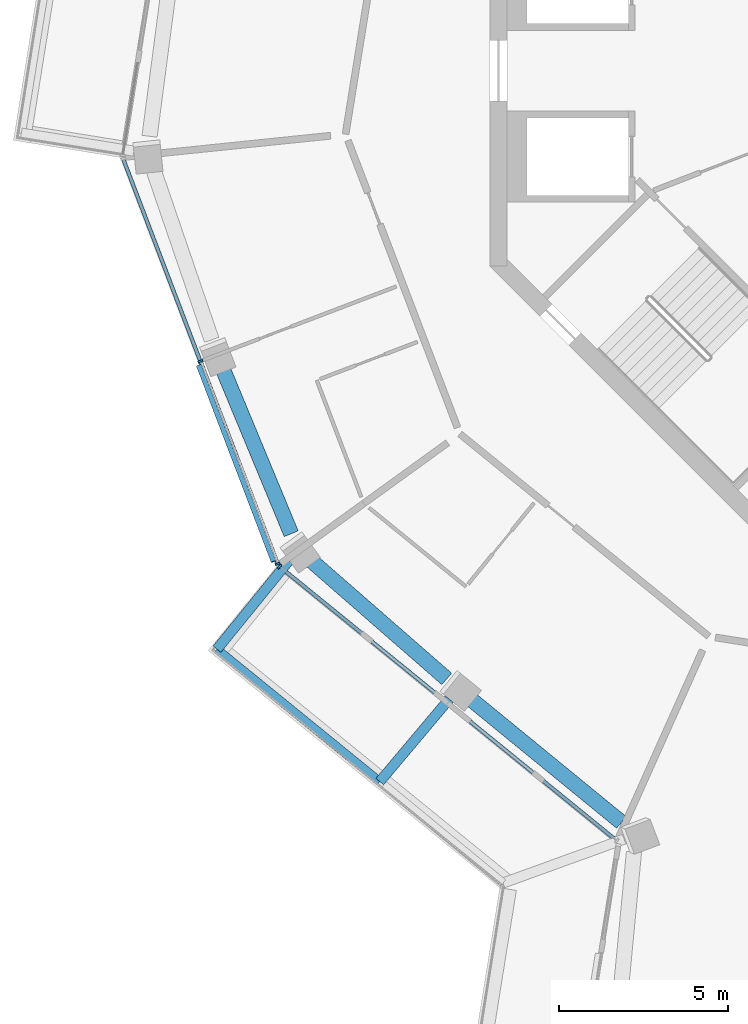
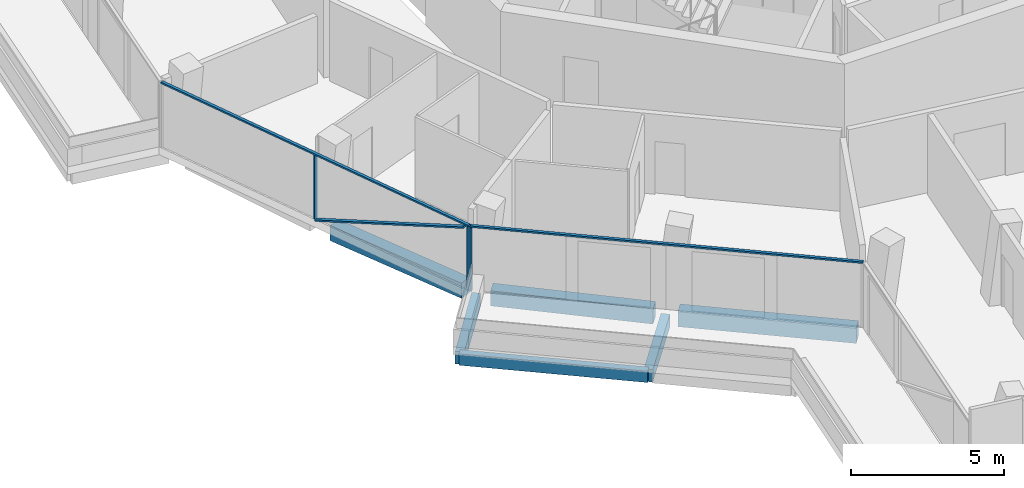
# One storey, part 3 of 23: 6 beams, 6 members, 2 elements without a shape of their own.
"""IFC4 building model written with IfcOpenShell, lengths in metres."""

from ifc_helpers import new_model, si_unit, direction, frame, origin, origin_2d, place, context, subcontext, project, spatial, rectangle, extrude, material, layer, layer_set, material_profile, profile_set, type_object, element, aggregate, save


model = new_model("IFC4")

# Units and contexts
model_context = context("Model", 3, precision=1e-05, world=origin(), true_north=direction((0.0, 1.0)))
body_context = subcontext(model_context, "Body", "Model", "MODEL_VIEW")
ifc_project = project(units=[si_unit("LENGTHUNIT", "METRE"), si_unit("AREAUNIT", "SQUARE_METRE"), si_unit("VOLUMEUNIT", "CUBIC_METRE"), si_unit("PLANEANGLEUNIT", "RADIAN"), si_unit("MASSUNIT", "GRAM", prefix="KILO")], contexts=[model_context])

# Site, building, storey
site_placement = place(None, origin())
site = spatial("IfcSite", under=ifc_project, at=site_placement, CompositionType="ELEMENT")
building_placement = place(site_placement, origin())
building = spatial("IfcBuilding", under=site, at=building_placement, Name="Verdalira Terraces Hotel", CompositionType="ELEMENT")
storey_placement = place(building_placement, frame((0.0, 0.0, 241.0)))
storey = spatial("IfcBuildingStorey", under=building, at=storey_placement, Name="L59", CompositionType="ELEMENT", Elevation=241.0)

# Beams
ifc_material_1 = material(Name="Concrete C40", Category="concrete")
ifc_material_profile_1 = material_profile(ifc_material_1, rectangle(XDim=0.300049, YDim=0.5, at=origin_2d()), Name="RC 300X500")
ifc_profile_set_1 = profile_set([ifc_material_profile_1], Name="Concrete C40")
beam_type_1 = type_object("IfcBeamType", Name="Balcony cantilever beam RC 300X500 C40", PredefinedType="BEAM", material=ifc_profile_set_1)
beam_1_placement = place(storey_placement, frame((-19.960938, -14.5271, -0.560059), z_axis=(-0.630939242, -0.775832245, 0.0), x_axis=(0.775832245, -0.630939242, 0.0)))
element("IfcBeam", 1, at=beam_1_placement, inside=storey, type_object=beam_type_1, Name="Balcony cantilever beam R13-2", PredefinedType="BEAM", context=body_context, shape_type="SweptSolid", body=[
    extrude(rectangle(XDim=0.300049, YDim=0.5, at=origin_2d()), origin(), (0.0, 0.0, 1.0), 3.393555),
])
beam_2_placement = place(storey_placement, frame((-15.21167, -18.638428, -0.560059), z_axis=(-0.643905535, -0.765105001, 0.0), x_axis=(0.765105001, -0.643905535, 0.0)))
element("IfcBeam", 2, at=beam_2_placement, inside=storey, type_object=beam_type_1, Name="Balcony cantilever beam R13-3", PredefinedType="BEAM", context=body_context, shape_type="SweptSolid", body=[
    extrude(rectangle(XDim=0.300049, YDim=0.5, at=origin_2d()), origin(), (0.0, 0.0, 1.0), 3.200928),
])
ifc_material_2 = material(Name="Concrete C40", Category="concrete")
ifc_material_profile_2 = material_profile(ifc_material_2, rectangle(XDim=0.25, YDim=0.449951, at=origin_2d()), Name="RC 250X450")
ifc_profile_set_2 = profile_set([ifc_material_profile_2], Name="Concrete C40")
beam_type_2 = type_object("IfcBeamType", Name="Balcony edge beam RC 250X450 C40", PredefinedType="BEAM", material=ifc_profile_set_2)
beam_3_placement = place(storey_placement, frame((-22.102051, -17.159912, -0.534912), z_axis=(0.775827193, -0.630945455, 0.0), x_axis=(0.630945455, 0.775827193, 0.0)))
element("IfcBeam", 3, at=beam_3_placement, inside=storey, type_object=beam_type_2, Name="Balcony edge beam R13-1", PredefinedType="BEAM", context=body_context, shape_type="SweptSolid", body=[
    extrude(rectangle(XDim=0.25, YDim=0.449951, at=origin_2d()), origin(), (0.0, 0.0, 1.0), 6.224854),
])

# Curtain wall, members
ifc_material_3 = material(Name="Clear glass", Category="glass")
ifc_layer = layer(ifc_material_3, 0.14990234375)
ifc_layer_set = layer_set([ifc_layer], Name="CW1 curtain wall")
curtain_wall_type = type_object("IfcCurtainWallType", Name="CW1 curtain wall", PredefinedType="NOTDEFINED", material=ifc_layer_set)
curtain_wall_1_placement = place(storey_placement, origin())
curtain_wall_1 = element("IfcCurtainWall", 4, at=curtain_wall_1_placement, inside=storey, type_object=curtain_wall_type, Name="CW1 curtain wall L59 edge 12", PredefinedType="NOTDEFINED")
ifc_material_4 = material(Name="Terracotta frame", Category="masonry")
ifc_material_profile_3 = material_profile(ifc_material_4, rectangle(XDim=0.060059, YDim=0.149902, at=origin_2d()), Name="MU 60x150")
ifc_profile_set_3 = profile_set([ifc_material_profile_3], Name="Terracotta frame")
member_type_1 = type_object("IfcMemberType", Name="CW1 mullion 60x150", PredefinedType="MULLION", material=ifc_profile_set_3)
member_1_placement = place(storey_placement, frame((-22.595215, -8.619141, 0.0), z_axis=(0.0, 0.0, 1.0), x_axis=(0.356411879, -0.934328942, 0.0)))
member_1 = element("IfcMember", 5, at=member_1_placement, type_object=member_type_1, Name="CW1 mullion", PredefinedType="MULLION", context=body_context, shape_type="SweptSolid", body=[
    extrude(rectangle(XDim=0.060059, YDim=0.149902, at=origin_2d()), origin(), (0.0, 0.0, 1.0), 2.524902),
])
member_2_placement = place(storey_placement, frame((-20.303467, -14.626709, 0.0), z_axis=(0.0, 0.0, 1.0), x_axis=(0.356411879, -0.934328942, 0.0)))
member_2 = element("IfcMember", 6, at=member_2_placement, type_object=member_type_1, Name="CW1 mullion", PredefinedType="MULLION", context=body_context, shape_type="SweptSolid", body=[
    extrude(rectangle(XDim=0.060059, YDim=0.149902, at=origin_2d()), origin(), (0.0, 0.0, 1.0), 2.524902),
])

# Curtain wall, member
curtain_wall_2_placement = place(storey_placement, origin())
curtain_wall_2 = element("IfcCurtainWall", 7, at=curtain_wall_2_placement, inside=storey, type_object=curtain_wall_type, Name="CW1 curtain wall L59 edge 13", PredefinedType="NOTDEFINED")
member_3_placement = place(storey_placement, frame((-20.246826, -14.705078, 0.0), z_axis=(0.0, 0.0, 1.0), x_axis=(0.775826212, -0.63094666, 0.0)))
member_3 = element("IfcMember", 8, at=member_3_placement, type_object=member_type_1, Name="CW1 mullion", PredefinedType="MULLION", context=body_context, shape_type="SweptSolid", body=[
    extrude(rectangle(XDim=0.060059, YDim=0.149902, at=origin_2d()), origin(), (0.0, 0.0, 1.0), 2.524902),
])

# Member
ifc_material_5 = material(Name="Terracotta frame", Category="masonry")
ifc_material_profile_4 = material_profile(ifc_material_5, rectangle(XDim=0.110107, YDim=0.064941, at=origin_2d()), Name="TR 65x110")
ifc_profile_set_4 = profile_set([ifc_material_profile_4], Name="Terracotta frame")
member_type_2 = type_object("IfcMemberType", Name="CW1 transom 65x110", PredefinedType="USERDEFINED", material=ifc_profile_set_4)
member_4_placement = place(storey_placement, frame((-24.897461, -2.58374, 2.557617), z_axis=(0.356417276, -0.934326884, 0.0), x_axis=(0.934326884, 0.356417276, 0.0)))
member_4 = element("IfcMember", 9, at=member_4_placement, type_object=member_type_2, Name="CW1 transom", ObjectType="TRANSOM", PredefinedType="USERDEFINED", context=body_context, shape_type="SweptSolid", body=[
    extrude(rectangle(XDim=0.110107, YDim=0.064941, at=origin_2d()), origin(), (0.0, 0.0, 1.0), 12.919434),
])

member_5_placement = place(storey_placement, frame((-20.27002, -14.686279, 2.557617), z_axis=(0.775820614, -0.630953544, 0.0), x_axis=(0.630953544, 0.775820614, 0.0)))
member_5 = element("IfcMember", 10, at=member_5_placement, type_object=member_type_2, Name="CW1 transom", ObjectType="TRANSOM", PredefinedType="USERDEFINED", context=body_context, shape_type="SweptSolid", body=[
    extrude(rectangle(XDim=0.110107, YDim=0.064941, at=origin_2d()), origin(), (0.0, 0.0, 1.0), 12.959717),
])

aggregate(curtain_wall_2, [member_3, member_5])

ifc_material_6 = material(Name="Terracotta frame", Category="masonry")
ifc_material_profile_5 = material_profile(ifc_material_6, rectangle(XDim=0.149902, YDim=0.060059, at=origin_2d()), Name="GB 60x150")
ifc_profile_set_5 = profile_set([ifc_material_profile_5], Name="Terracotta frame")
member_type_3 = type_object("IfcMemberType", Name="Diagonal glazing bar 60x150", PredefinedType="USERDEFINED", material=ifc_profile_set_5)
member_6_placement = place(storey_placement, frame((-22.641846, -8.746338, 0.028564), z_axis=(0.33131847, -0.868580826, 0.368504302), x_axis=(0.934333577, 0.356399729, 0.0)))
member_6 = element("IfcMember", 11, at=member_6_placement, type_object=member_type_3, Name="Diagonal glazing bar", ObjectType="GLAZING BAR", PredefinedType="USERDEFINED", context=body_context, shape_type="SweptSolid", body=[
    extrude(rectangle(XDim=0.149902, YDim=0.060059, at=origin_2d()), origin(), (0.0, 0.0, 1.0), 6.696777),
])

aggregate(curtain_wall_1, [member_1, member_2, member_4, member_6])

# Beams
ifc_material_7 = material(Name="Concrete C40", Category="concrete")
ifc_material_profile_6 = material_profile(ifc_material_7, rectangle(XDim=0.449951, YDim=0.600098, at=origin_2d()), Name="RC 450X600")
ifc_profile_set_6 = profile_set([ifc_material_profile_6], Name="Concrete C40")
beam_type_3 = type_object("IfcBeamType", Name="Spandrel beam RC 450X600 C40", PredefinedType="SPANDREL", material=ifc_profile_set_6)
beam_4_placement = place(storey_placement, frame((-21.968506, -8.753418, -0.610107), z_axis=(0.383252378, -0.923643662, 0.0), x_axis=(0.923643662, 0.383252378, 0.0)))
element("IfcBeam", 12, at=beam_4_placement, inside=storey, type_object=beam_type_3, Name="Spandrel beam B05", PredefinedType="SPANDREL", context=body_context, shape_type="SweptSolid", body=[
    extrude(rectangle(XDim=0.449951, YDim=0.600098, at=origin_2d()), origin(), (0.0, 0.0, 1.0), 5.394287),
])
beam_5_placement = place(storey_placement, frame((-19.353516, -14.494629, -0.610107), z_axis=(0.753472737, -0.657479152, 0.0), x_axis=(0.657479152, 0.753472737, 0.0)))
element("IfcBeam", 13, at=beam_5_placement, inside=storey, type_object=beam_type_3, Name="Spandrel beam B06", PredefinedType="SPANDREL", context=body_context, shape_type="SweptSolid", body=[
    extrude(rectangle(XDim=0.449951, YDim=0.600098, at=origin_2d()), origin(), (0.0, 0.0, 1.0), 5.396973),
])
beam_6_placement = place(storey_placement, frame((-14.666504, -18.567383, -0.610107), z_axis=(0.773970221, -0.633221996, 0.0), x_axis=(0.633221996, 0.773970221, 0.0)))
element("IfcBeam", 14, at=beam_6_placement, inside=storey, type_object=beam_type_3, Name="Spandrel beam B07", PredefinedType="SPANDREL", context=body_context, shape_type="SweptSolid", body=[
    extrude(rectangle(XDim=0.449951, YDim=0.600098, at=origin_2d()), origin(), (0.0, 0.0, 1.0), 5.892334),
])

save(model, "model.ifc")
